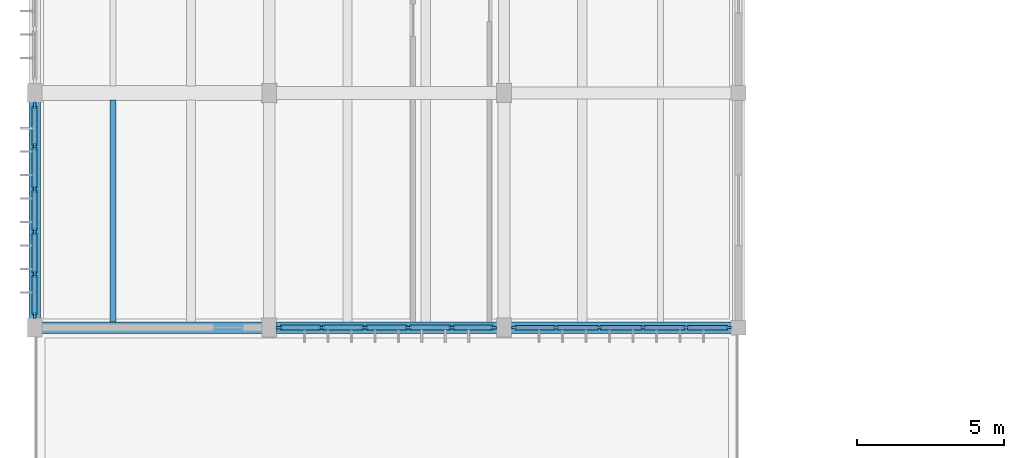
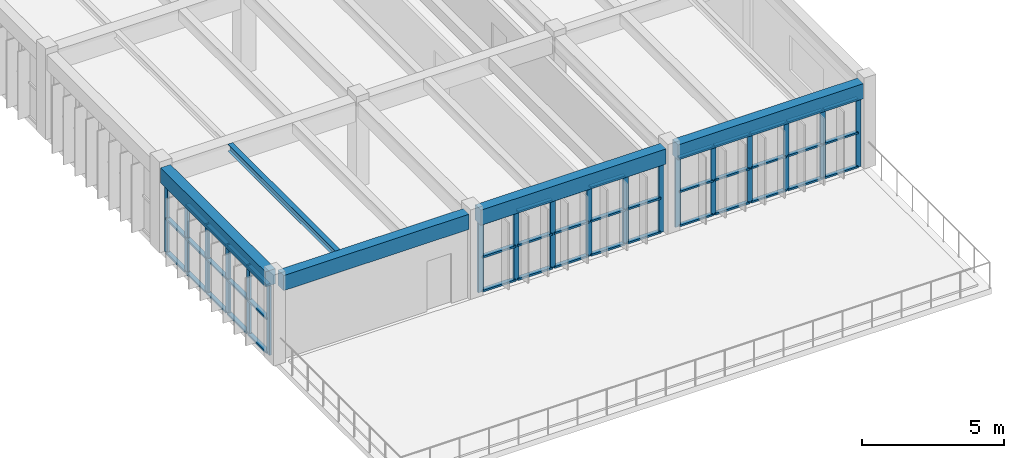
# One storey, part 2 of 31: 62 members, 5 beams, 3 elements without a shape of their own.
"""IFC4 building model written with IfcOpenShell, lengths in metres."""

from ifc_helpers import new_model, si_unit, direction, frame, origin, origin_2d, place, context, subcontext, project, spatial, rectangle, i_section, extrude, material, material_profile, profile_set, type_object, element, aggregate, save


model = new_model("IFC4")

# Units and contexts
model_context = context("Model", 3, precision=1e-05, world=origin(), true_north=direction((0.0, 1.0)))
body_context = subcontext(model_context, "Body", "Model", "MODEL_VIEW")
ifc_project = project(units=[si_unit("LENGTHUNIT", "METRE"), si_unit("AREAUNIT", "SQUARE_METRE"), si_unit("VOLUMEUNIT", "CUBIC_METRE"), si_unit("PLANEANGLEUNIT", "RADIAN"), si_unit("MASSUNIT", "GRAM", prefix="KILO")], contexts=[model_context])

# Site, building, storey
site_placement = place(None, origin())
site = spatial("IfcSite", under=ifc_project, at=site_placement, CompositionType="ELEMENT")
building_placement = place(site_placement, origin())
building = spatial("IfcBuilding", under=site, at=building_placement, Name="Tlaxcora Railside Police Headquarters", CompositionType="ELEMENT")
storey_placement = place(building_placement, frame((0.0, 0.0, 18.0)))
storey = spatial("IfcBuildingStorey", under=building, at=storey_placement, Name="L04", CompositionType="ELEMENT", Elevation=18.0)

# Curtain wall, members
ifc_material_1 = material(Name="Thermally broken low-E insulated glazing", Category="glass")
curtain_wall_type_1 = type_object("IfcCurtainWallType", Name="Unitised Curtain Wall Assembly CW-23", PredefinedType="NOTDEFINED", material=ifc_material_1)
curtain_wall_1_placement = place(storey_placement, origin())
curtain_wall_1 = element("IfcCurtainWall", 1, at=curtain_wall_1_placement, inside=storey, type_object=curtain_wall_type_1, Name="V5 L04 curtain wall 88", PredefinedType="NOTDEFINED")
ifc_material_2 = material(Name="Anodised aluminium framing", Category="aluminium")
ifc_material_profile_1 = material_profile(ifc_material_2, rectangle(XDim=0.080078125, YDim=0.219970703125, at=origin_2d()), Name="AL80X220")
ifc_profile_set_1 = profile_set([ifc_material_profile_1], Name="Anodised aluminium framing")
member_type_1 = type_object("IfcMemberType", Name="Curtain Wall Mullion CW-31", PredefinedType="MULLION", material=ifc_profile_set_1)
member_1_placement = place(storey_placement, frame((13.5400390625, 60.800048828125, 0.0), z_axis=(0.0, 0.0, 1.0), x_axis=(0.0, 1.0, 0.0)))
member_1 = element("IfcMember", 2, at=member_1_placement, type_object=member_type_1, Name="CW mullion 1", PredefinedType="MULLION", context=body_context, shape_type="SweptSolid", body=[
    extrude(rectangle(XDim=0.080078125, YDim=0.219970703125, at=origin_2d()), origin(), (0.0, 0.0, 1.0), 2.969970703125),
])
member_2_placement = place(storey_placement, frame((14.97998046875, 60.800048828125, 0.0), z_axis=(0.0, 0.0, 1.0), x_axis=(0.0, 1.0, 0.0)))
member_2 = element("IfcMember", 3, at=member_2_placement, type_object=member_type_1, Name="CW mullion 2", PredefinedType="MULLION", context=body_context, shape_type="SweptSolid", body=[
    extrude(rectangle(XDim=0.080078125, YDim=0.219970703125, at=origin_2d()), origin(), (0.0, 0.0, 1.0), 2.969970703125),
])
member_3_placement = place(storey_placement, frame((16.4599609375, 60.800048828125, 0.0), z_axis=(0.0, 0.0, 1.0), x_axis=(0.0, 1.0, 0.0)))
member_3 = element("IfcMember", 4, at=member_3_placement, type_object=member_type_1, Name="CW mullion 3", PredefinedType="MULLION", context=body_context, shape_type="SweptSolid", body=[
    extrude(rectangle(XDim=0.080078125, YDim=0.219970703125, at=origin_2d()), origin(), (0.0, 0.0, 1.0), 2.969970703125),
])
member_4_placement = place(storey_placement, frame((17.93994140625, 60.800048828125, 0.0), z_axis=(0.0, 0.0, 1.0), x_axis=(0.0, 1.0, 0.0)))
member_4 = element("IfcMember", 5, at=member_4_placement, type_object=member_type_1, Name="CW mullion 4", PredefinedType="MULLION", context=body_context, shape_type="SweptSolid", body=[
    extrude(rectangle(XDim=0.080078125, YDim=0.219970703125, at=origin_2d()), origin(), (0.0, 0.0, 1.0), 2.969970703125),
])
member_5_placement = place(storey_placement, frame((19.419921875, 60.800048828125, 0.0), z_axis=(0.0, 0.0, 1.0), x_axis=(0.0, 1.0, 0.0)))
member_5 = element("IfcMember", 6, at=member_5_placement, type_object=member_type_1, Name="CW mullion 5", PredefinedType="MULLION", context=body_context, shape_type="SweptSolid", body=[
    extrude(rectangle(XDim=0.080078125, YDim=0.219970703125, at=origin_2d()), origin(), (0.0, 0.0, 1.0), 2.969970703125),
])
member_6_placement = place(storey_placement, frame((20.860107421875, 60.800048828125, 0.0), z_axis=(0.0, 0.0, 1.0), x_axis=(0.0, 1.0, 0.0)))
member_6 = element("IfcMember", 7, at=member_6_placement, type_object=member_type_1, Name="CW mullion 6", PredefinedType="MULLION", context=body_context, shape_type="SweptSolid", body=[
    extrude(rectangle(XDim=0.080078125, YDim=0.219970703125, at=origin_2d()), origin(), (0.0, 0.0, 1.0), 2.969970703125),
])

curtain_wall_2_placement = place(storey_placement, origin())
curtain_wall_2 = element("IfcCurtainWall", 8, at=curtain_wall_2_placement, inside=storey, type_object=curtain_wall_type_1, Name="V5 L04 curtain wall 104", PredefinedType="NOTDEFINED")
member_7_placement = place(storey_placement, frame((5.199951171875, 68.385009765625, 0.0), z_axis=(0.0, 0.0, 1.0), x_axis=(1.0, 0.0, 0.0)))
member_7 = element("IfcMember", 9, at=member_7_placement, type_object=member_type_1, Name="CW mullion 1", PredefinedType="MULLION", context=body_context, shape_type="SweptSolid", body=[
    extrude(rectangle(XDim=0.080078125, YDim=0.219970703125, at=origin_2d()), origin(), (0.0, 0.0, 1.0), 2.969970703125),
])
member_8_placement = place(storey_placement, frame((5.199951171875, 66.97509765625, 0.0), z_axis=(0.0, 0.0, 1.0), x_axis=(1.0, 0.0, 0.0)))
member_8 = element("IfcMember", 10, at=member_8_placement, type_object=member_type_1, Name="CW mullion 2", PredefinedType="MULLION", context=body_context, shape_type="SweptSolid", body=[
    extrude(rectangle(XDim=0.080078125, YDim=0.219970703125, at=origin_2d()), origin(), (0.0, 0.0, 1.0), 2.969970703125),
])
member_9_placement = place(storey_placement, frame((5.199951171875, 65.52490234375, 0.0), z_axis=(0.0, 0.0, 1.0), x_axis=(1.0, 0.0, 0.0)))
member_9 = element("IfcMember", 11, at=member_9_placement, type_object=member_type_1, Name="CW mullion 3", PredefinedType="MULLION", context=body_context, shape_type="SweptSolid", body=[
    extrude(rectangle(XDim=0.080078125, YDim=0.219970703125, at=origin_2d()), origin(), (0.0, 0.0, 1.0), 2.969970703125),
])
member_10_placement = place(storey_placement, frame((5.199951171875, 64.074951171875, 0.0), z_axis=(0.0, 0.0, 1.0), x_axis=(1.0, 0.0, 0.0)))
member_10 = element("IfcMember", 12, at=member_10_placement, type_object=member_type_1, Name="CW mullion 4", PredefinedType="MULLION", context=body_context, shape_type="SweptSolid", body=[
    extrude(rectangle(XDim=0.080078125, YDim=0.219970703125, at=origin_2d()), origin(), (0.0, 0.0, 1.0), 2.969970703125),
])
member_11_placement = place(storey_placement, frame((5.199951171875, 62.625, 0.0), z_axis=(0.0, 0.0, 1.0), x_axis=(1.0, 0.0, 0.0)))
member_11 = element("IfcMember", 13, at=member_11_placement, type_object=member_type_1, Name="CW mullion 5", PredefinedType="MULLION", context=body_context, shape_type="SweptSolid", body=[
    extrude(rectangle(XDim=0.080078125, YDim=0.219970703125, at=origin_2d()), origin(), (0.0, 0.0, 1.0), 2.969970703125),
])
member_12_placement = place(storey_placement, frame((5.199951171875, 61.215087890625, 0.0), z_axis=(0.0, 0.0, 1.0), x_axis=(1.0, 0.0, 0.0)))
member_12 = element("IfcMember", 14, at=member_12_placement, type_object=member_type_1, Name="CW mullion 6", PredefinedType="MULLION", context=body_context, shape_type="SweptSolid", body=[
    extrude(rectangle(XDim=0.080078125, YDim=0.219970703125, at=origin_2d()), origin(), (0.0, 0.0, 1.0), 2.969970703125),
])

curtain_wall_type_2 = type_object("IfcCurtainWallType", Name="Unitised Curtain Wall Assembly CW-38", PredefinedType="NOTDEFINED", material=ifc_material_1)
curtain_wall_3_placement = place(storey_placement, origin())
curtain_wall_3 = element("IfcCurtainWall", 15, at=curtain_wall_3_placement, inside=storey, type_object=curtain_wall_type_2, Name="V5 L04 curtain wall 89", PredefinedType="NOTDEFINED")
ifc_material_profile_2 = material_profile(ifc_material_2, rectangle(XDim=0.074951171875, YDim=0.205078125, at=origin_2d()), Name="AL75X205")
ifc_profile_set_2 = profile_set([ifc_material_profile_2], Name="Anodised aluminium framing")
member_type_2 = type_object("IfcMemberType", Name="Curtain Wall Mullion CW-32", PredefinedType="MULLION", material=ifc_profile_set_2)
member_13_placement = place(storey_placement, frame((21.53759765625, 60.800048828125, 0.0), z_axis=(0.0, 0.0, 1.0), x_axis=(0.0, 1.0, 0.0)))
member_13 = element("IfcMember", 16, at=member_13_placement, type_object=member_type_2, Name="CW mullion 1", PredefinedType="MULLION", context=body_context, shape_type="SweptSolid", body=[
    extrude(rectangle(XDim=0.074951171875, YDim=0.205078125, at=origin_2d()), origin(), (0.0, 0.0, 1.0), 2.969970703125),
])
member_14_placement = place(storey_placement, frame((22.97998046875, 60.800048828125, 0.0), z_axis=(0.0, 0.0, 1.0), x_axis=(0.0, 1.0, 0.0)))
member_14 = element("IfcMember", 17, at=member_14_placement, type_object=member_type_2, Name="CW mullion 2", PredefinedType="MULLION", context=body_context, shape_type="SweptSolid", body=[
    extrude(rectangle(XDim=0.074951171875, YDim=0.205078125, at=origin_2d()), origin(), (0.0, 0.0, 1.0), 2.969970703125),
])
member_15_placement = place(storey_placement, frame((24.4599609375, 60.800048828125, 0.0), z_axis=(0.0, 0.0, 1.0), x_axis=(0.0, 1.0, 0.0)))
member_15 = element("IfcMember", 18, at=member_15_placement, type_object=member_type_2, Name="CW mullion 3", PredefinedType="MULLION", context=body_context, shape_type="SweptSolid", body=[
    extrude(rectangle(XDim=0.074951171875, YDim=0.205078125, at=origin_2d()), origin(), (0.0, 0.0, 1.0), 2.969970703125),
])
member_16_placement = place(storey_placement, frame((25.93994140625, 60.800048828125, 0.0), z_axis=(0.0, 0.0, 1.0), x_axis=(0.0, 1.0, 0.0)))
member_16 = element("IfcMember", 19, at=member_16_placement, type_object=member_type_2, Name="CW mullion 4", PredefinedType="MULLION", context=body_context, shape_type="SweptSolid", body=[
    extrude(rectangle(XDim=0.074951171875, YDim=0.205078125, at=origin_2d()), origin(), (0.0, 0.0, 1.0), 2.969970703125),
])
member_17_placement = place(storey_placement, frame((27.419921875, 60.800048828125, 0.0), z_axis=(0.0, 0.0, 1.0), x_axis=(0.0, 1.0, 0.0)))
member_17 = element("IfcMember", 20, at=member_17_placement, type_object=member_type_2, Name="CW mullion 5", PredefinedType="MULLION", context=body_context, shape_type="SweptSolid", body=[
    extrude(rectangle(XDim=0.074951171875, YDim=0.205078125, at=origin_2d()), origin(), (0.0, 0.0, 1.0), 2.969970703125),
])
member_18_placement = place(storey_placement, frame((28.862548828125, 60.800048828125, 0.0), z_axis=(0.0, 0.0, 1.0), x_axis=(0.0, 1.0, 0.0)))
member_18 = element("IfcMember", 21, at=member_18_placement, type_object=member_type_2, Name="CW mullion 6", PredefinedType="MULLION", context=body_context, shape_type="SweptSolid", body=[
    extrude(rectangle(XDim=0.074951171875, YDim=0.205078125, at=origin_2d()), origin(), (0.0, 0.0, 1.0), 2.969970703125),
])
ifc_material_profile_3 = material_profile(ifc_material_2, rectangle(XDim=0.155029296875, YDim=0.074951171875, at=origin_2d()), Name="AL75X155")
ifc_profile_set_3 = profile_set([ifc_material_profile_3], Name="Anodised aluminium framing")
member_type_3 = type_object("IfcMemberType", Name="Curtain Wall Transom CW-30", PredefinedType="USERDEFINED", material=ifc_profile_set_3)
member_19_placement = place(storey_placement, frame((21.574951171875, 60.800048828125, 0.03759765625), z_axis=(1.0, 0.0, 0.0), x_axis=(0.0, 1.0, 0.0)))
member_19 = element("IfcMember", 22, at=member_19_placement, type_object=member_type_3, Name="CW transom 1.1", ObjectType="TRANSOM", PredefinedType="USERDEFINED", context=body_context, shape_type="SweptSolid", body=[
    extrude(rectangle(XDim=0.155029296875, YDim=0.074951171875, at=origin_2d()), origin(), (0.0, 0.0, 1.0), 1.367431640625),
])
member_20_placement = place(storey_placement, frame((21.574951171875, 60.800048828125, 1.4951171875), z_axis=(1.0, 0.0, 0.0), x_axis=(0.0, 1.0, 0.0)))
member_20 = element("IfcMember", 23, at=member_20_placement, type_object=member_type_3, Name="CW transom 1.2", ObjectType="TRANSOM", PredefinedType="USERDEFINED", context=body_context, shape_type="SweptSolid", body=[
    extrude(rectangle(XDim=0.155029296875, YDim=0.074951171875, at=origin_2d()), origin(), (0.0, 0.0, 1.0), 1.367431640625),
])
member_21_placement = place(storey_placement, frame((21.574951171875, 60.800048828125, 2.9326171875), z_axis=(1.0, 0.0, 0.0), x_axis=(0.0, 1.0, 0.0)))
member_21 = element("IfcMember", 24, at=member_21_placement, type_object=member_type_3, Name="CW transom 1.3", ObjectType="TRANSOM", PredefinedType="USERDEFINED", context=body_context, shape_type="SweptSolid", body=[
    extrude(rectangle(XDim=0.155029296875, YDim=0.074951171875, at=origin_2d()), origin(), (0.0, 0.0, 1.0), 1.367431640625),
])
member_22_placement = place(storey_placement, frame((23.017578125, 60.800048828125, 0.03759765625), z_axis=(1.0, 0.0, 0.0), x_axis=(0.0, 1.0, 0.0)))
member_22 = element("IfcMember", 25, at=member_22_placement, type_object=member_type_3, Name="CW transom 2.1", ObjectType="TRANSOM", PredefinedType="USERDEFINED", context=body_context, shape_type="SweptSolid", body=[
    extrude(rectangle(XDim=0.155029296875, YDim=0.074951171875, at=origin_2d()), origin(), (0.0, 0.0, 1.0), 1.405029296875),
])
member_23_placement = place(storey_placement, frame((23.017578125, 60.800048828125, 1.4951171875), z_axis=(1.0, 0.0, 0.0), x_axis=(0.0, 1.0, 0.0)))
member_23 = element("IfcMember", 26, at=member_23_placement, type_object=member_type_3, Name="CW transom 2.2", ObjectType="TRANSOM", PredefinedType="USERDEFINED", context=body_context, shape_type="SweptSolid", body=[
    extrude(rectangle(XDim=0.155029296875, YDim=0.074951171875, at=origin_2d()), origin(), (0.0, 0.0, 1.0), 1.405029296875),
])
member_24_placement = place(storey_placement, frame((23.017578125, 60.800048828125, 2.9326171875), z_axis=(1.0, 0.0, 0.0), x_axis=(0.0, 1.0, 0.0)))
member_24 = element("IfcMember", 27, at=member_24_placement, type_object=member_type_3, Name="CW transom 2.3", ObjectType="TRANSOM", PredefinedType="USERDEFINED", context=body_context, shape_type="SweptSolid", body=[
    extrude(rectangle(XDim=0.155029296875, YDim=0.074951171875, at=origin_2d()), origin(), (0.0, 0.0, 1.0), 1.405029296875),
])
member_25_placement = place(storey_placement, frame((24.49755859375, 60.800048828125, 0.03759765625), z_axis=(1.0, 0.0, 0.0), x_axis=(0.0, 1.0, 0.0)))
member_25 = element("IfcMember", 28, at=member_25_placement, type_object=member_type_3, Name="CW transom 3.1", ObjectType="TRANSOM", PredefinedType="USERDEFINED", context=body_context, shape_type="SweptSolid", body=[
    extrude(rectangle(XDim=0.155029296875, YDim=0.074951171875, at=origin_2d()), origin(), (0.0, 0.0, 1.0), 1.405029296875),
])
member_26_placement = place(storey_placement, frame((24.49755859375, 60.800048828125, 1.4951171875), z_axis=(1.0, 0.0, 0.0), x_axis=(0.0, 1.0, 0.0)))
member_26 = element("IfcMember", 29, at=member_26_placement, type_object=member_type_3, Name="CW transom 3.2", ObjectType="TRANSOM", PredefinedType="USERDEFINED", context=body_context, shape_type="SweptSolid", body=[
    extrude(rectangle(XDim=0.155029296875, YDim=0.074951171875, at=origin_2d()), origin(), (0.0, 0.0, 1.0), 1.405029296875),
])
member_27_placement = place(storey_placement, frame((24.49755859375, 60.800048828125, 2.9326171875), z_axis=(1.0, 0.0, 0.0), x_axis=(0.0, 1.0, 0.0)))
member_27 = element("IfcMember", 30, at=member_27_placement, type_object=member_type_3, Name="CW transom 3.3", ObjectType="TRANSOM", PredefinedType="USERDEFINED", context=body_context, shape_type="SweptSolid", body=[
    extrude(rectangle(XDim=0.155029296875, YDim=0.074951171875, at=origin_2d()), origin(), (0.0, 0.0, 1.0), 1.405029296875),
])
member_28_placement = place(storey_placement, frame((25.9775390625, 60.800048828125, 0.03759765625), z_axis=(1.0, 0.0, 0.0), x_axis=(0.0, 1.0, 0.0)))
member_28 = element("IfcMember", 31, at=member_28_placement, type_object=member_type_3, Name="CW transom 4.1", ObjectType="TRANSOM", PredefinedType="USERDEFINED", context=body_context, shape_type="SweptSolid", body=[
    extrude(rectangle(XDim=0.155029296875, YDim=0.074951171875, at=origin_2d()), origin(), (0.0, 0.0, 1.0), 1.405029296875),
])
member_29_placement = place(storey_placement, frame((25.9775390625, 60.800048828125, 1.4951171875), z_axis=(1.0, 0.0, 0.0), x_axis=(0.0, 1.0, 0.0)))
member_29 = element("IfcMember", 32, at=member_29_placement, type_object=member_type_3, Name="CW transom 4.2", ObjectType="TRANSOM", PredefinedType="USERDEFINED", context=body_context, shape_type="SweptSolid", body=[
    extrude(rectangle(XDim=0.155029296875, YDim=0.074951171875, at=origin_2d()), origin(), (0.0, 0.0, 1.0), 1.405029296875),
])
member_30_placement = place(storey_placement, frame((25.9775390625, 60.800048828125, 2.9326171875), z_axis=(1.0, 0.0, 0.0), x_axis=(0.0, 1.0, 0.0)))
member_30 = element("IfcMember", 33, at=member_30_placement, type_object=member_type_3, Name="CW transom 4.3", ObjectType="TRANSOM", PredefinedType="USERDEFINED", context=body_context, shape_type="SweptSolid", body=[
    extrude(rectangle(XDim=0.155029296875, YDim=0.074951171875, at=origin_2d()), origin(), (0.0, 0.0, 1.0), 1.405029296875),
])
member_31_placement = place(storey_placement, frame((27.45751953125, 60.800048828125, 0.03759765625), z_axis=(1.0, 0.0, 0.0), x_axis=(0.0, 1.0, 0.0)))
member_31 = element("IfcMember", 34, at=member_31_placement, type_object=member_type_3, Name="CW transom 5.1", ObjectType="TRANSOM", PredefinedType="USERDEFINED", context=body_context, shape_type="SweptSolid", body=[
    extrude(rectangle(XDim=0.155029296875, YDim=0.074951171875, at=origin_2d()), origin(), (0.0, 0.0, 1.0), 1.367431640625),
])
member_32_placement = place(storey_placement, frame((27.45751953125, 60.800048828125, 1.4951171875), z_axis=(1.0, 0.0, 0.0), x_axis=(0.0, 1.0, 0.0)))
member_32 = element("IfcMember", 35, at=member_32_placement, type_object=member_type_3, Name="CW transom 5.2", ObjectType="TRANSOM", PredefinedType="USERDEFINED", context=body_context, shape_type="SweptSolid", body=[
    extrude(rectangle(XDim=0.155029296875, YDim=0.074951171875, at=origin_2d()), origin(), (0.0, 0.0, 1.0), 1.367431640625),
])
member_33_placement = place(storey_placement, frame((27.45751953125, 60.800048828125, 2.9326171875), z_axis=(1.0, 0.0, 0.0), x_axis=(0.0, 1.0, 0.0)))
member_33 = element("IfcMember", 36, at=member_33_placement, type_object=member_type_3, Name="CW transom 5.3", ObjectType="TRANSOM", PredefinedType="USERDEFINED", context=body_context, shape_type="SweptSolid", body=[
    extrude(rectangle(XDim=0.155029296875, YDim=0.074951171875, at=origin_2d()), origin(), (0.0, 0.0, 1.0), 1.367431640625),
])
aggregate(curtain_wall_3, [member_13, member_14, member_15, member_16, member_17, member_18, member_19, member_20, member_21, member_22, member_23, member_24, member_25, member_26, member_27, member_28, member_29, member_30, member_31, member_32, member_33])

# Member
ifc_material_profile_4 = material_profile(ifc_material_2, rectangle(XDim=0.1650390625, YDim=0.080078125, at=origin_2d()), Name="AL80X165")
ifc_profile_set_4 = profile_set([ifc_material_profile_4], Name="Anodised aluminium framing")
member_type_4 = type_object("IfcMemberType", Name="Curtain Wall Transom CW-62", PredefinedType="USERDEFINED", material=ifc_profile_set_4)
member_34_placement = place(storey_placement, frame((13.580078125, 60.800048828125, 0.0400390625), z_axis=(1.0, 0.0, 0.0), x_axis=(0.0, 1.0, 0.0)))
member_34 = element("IfcMember", 37, at=member_34_placement, type_object=member_type_4, Name="CW transom 1.1", ObjectType="TRANSOM", PredefinedType="USERDEFINED", context=body_context, shape_type="SweptSolid", body=[
    extrude(rectangle(XDim=0.1650390625, YDim=0.080078125, at=origin_2d()), origin(), (0.0, 0.0, 1.0), 1.35986328125),
])

member_35_placement = place(storey_placement, frame((13.580078125, 60.800048828125, 1.4951171875), z_axis=(1.0, 0.0, 0.0), x_axis=(0.0, 1.0, 0.0)))
member_35 = element("IfcMember", 38, at=member_35_placement, type_object=member_type_4, Name="CW transom 1.2", ObjectType="TRANSOM", PredefinedType="USERDEFINED", context=body_context, shape_type="SweptSolid", body=[
    extrude(rectangle(XDim=0.1650390625, YDim=0.080078125, at=origin_2d()), origin(), (0.0, 0.0, 1.0), 1.35986328125),
])

member_36_placement = place(storey_placement, frame((13.580078125, 60.800048828125, 2.929931640625), z_axis=(1.0, 0.0, 0.0), x_axis=(0.0, 1.0, 0.0)))
member_36 = element("IfcMember", 39, at=member_36_placement, type_object=member_type_4, Name="CW transom 1.3", ObjectType="TRANSOM", PredefinedType="USERDEFINED", context=body_context, shape_type="SweptSolid", body=[
    extrude(rectangle(XDim=0.1650390625, YDim=0.080078125, at=origin_2d()), origin(), (0.0, 0.0, 1.0), 1.35986328125),
])

member_37_placement = place(storey_placement, frame((15.02001953125, 60.800048828125, 0.0400390625), z_axis=(1.0, 0.0, 0.0), x_axis=(0.0, 1.0, 0.0)))
member_37 = element("IfcMember", 40, at=member_37_placement, type_object=member_type_4, Name="CW transom 2.1", ObjectType="TRANSOM", PredefinedType="USERDEFINED", context=body_context, shape_type="SweptSolid", body=[
    extrude(rectangle(XDim=0.1650390625, YDim=0.080078125, at=origin_2d()), origin(), (0.0, 0.0, 1.0), 1.39990234375),
])

member_38_placement = place(storey_placement, frame((15.02001953125, 60.800048828125, 1.4951171875), z_axis=(1.0, 0.0, 0.0), x_axis=(0.0, 1.0, 0.0)))
member_38 = element("IfcMember", 41, at=member_38_placement, type_object=member_type_4, Name="CW transom 2.2", ObjectType="TRANSOM", PredefinedType="USERDEFINED", context=body_context, shape_type="SweptSolid", body=[
    extrude(rectangle(XDim=0.1650390625, YDim=0.080078125, at=origin_2d()), origin(), (0.0, 0.0, 1.0), 1.39990234375),
])

member_39_placement = place(storey_placement, frame((15.02001953125, 60.800048828125, 2.929931640625), z_axis=(1.0, 0.0, 0.0), x_axis=(0.0, 1.0, 0.0)))
member_39 = element("IfcMember", 42, at=member_39_placement, type_object=member_type_4, Name="CW transom 2.3", ObjectType="TRANSOM", PredefinedType="USERDEFINED", context=body_context, shape_type="SweptSolid", body=[
    extrude(rectangle(XDim=0.1650390625, YDim=0.080078125, at=origin_2d()), origin(), (0.0, 0.0, 1.0), 1.39990234375),
])

member_40_placement = place(storey_placement, frame((16.5, 60.800048828125, 0.0400390625), z_axis=(1.0, 0.0, 0.0), x_axis=(0.0, 1.0, 0.0)))
member_40 = element("IfcMember", 43, at=member_40_placement, type_object=member_type_4, Name="CW transom 3.1", ObjectType="TRANSOM", PredefinedType="USERDEFINED", context=body_context, shape_type="SweptSolid", body=[
    extrude(rectangle(XDim=0.1650390625, YDim=0.080078125, at=origin_2d()), origin(), (0.0, 0.0, 1.0), 1.39990234375),
])

member_41_placement = place(storey_placement, frame((16.5, 60.800048828125, 1.4951171875), z_axis=(1.0, 0.0, 0.0), x_axis=(0.0, 1.0, 0.0)))
member_41 = element("IfcMember", 44, at=member_41_placement, type_object=member_type_4, Name="CW transom 3.2", ObjectType="TRANSOM", PredefinedType="USERDEFINED", context=body_context, shape_type="SweptSolid", body=[
    extrude(rectangle(XDim=0.1650390625, YDim=0.080078125, at=origin_2d()), origin(), (0.0, 0.0, 1.0), 1.39990234375),
])

member_42_placement = place(storey_placement, frame((16.5, 60.800048828125, 2.929931640625), z_axis=(1.0, 0.0, 0.0), x_axis=(0.0, 1.0, 0.0)))
member_42 = element("IfcMember", 45, at=member_42_placement, type_object=member_type_4, Name="CW transom 3.3", ObjectType="TRANSOM", PredefinedType="USERDEFINED", context=body_context, shape_type="SweptSolid", body=[
    extrude(rectangle(XDim=0.1650390625, YDim=0.080078125, at=origin_2d()), origin(), (0.0, 0.0, 1.0), 1.39990234375),
])

member_43_placement = place(storey_placement, frame((17.97998046875, 60.800048828125, 0.0400390625), z_axis=(1.0, 0.0, 0.0), x_axis=(0.0, 1.0, 0.0)))
member_43 = element("IfcMember", 46, at=member_43_placement, type_object=member_type_4, Name="CW transom 4.1", ObjectType="TRANSOM", PredefinedType="USERDEFINED", context=body_context, shape_type="SweptSolid", body=[
    extrude(rectangle(XDim=0.1650390625, YDim=0.080078125, at=origin_2d()), origin(), (0.0, 0.0, 1.0), 1.39990234375),
])

member_44_placement = place(storey_placement, frame((17.97998046875, 60.800048828125, 1.4951171875), z_axis=(1.0, 0.0, 0.0), x_axis=(0.0, 1.0, 0.0)))
member_44 = element("IfcMember", 47, at=member_44_placement, type_object=member_type_4, Name="CW transom 4.2", ObjectType="TRANSOM", PredefinedType="USERDEFINED", context=body_context, shape_type="SweptSolid", body=[
    extrude(rectangle(XDim=0.1650390625, YDim=0.080078125, at=origin_2d()), origin(), (0.0, 0.0, 1.0), 1.39990234375),
])

member_45_placement = place(storey_placement, frame((17.97998046875, 60.800048828125, 2.929931640625), z_axis=(1.0, 0.0, 0.0), x_axis=(0.0, 1.0, 0.0)))
member_45 = element("IfcMember", 48, at=member_45_placement, type_object=member_type_4, Name="CW transom 4.3", ObjectType="TRANSOM", PredefinedType="USERDEFINED", context=body_context, shape_type="SweptSolid", body=[
    extrude(rectangle(XDim=0.1650390625, YDim=0.080078125, at=origin_2d()), origin(), (0.0, 0.0, 1.0), 1.39990234375),
])

member_46_placement = place(storey_placement, frame((19.4599609375, 60.800048828125, 0.0400390625), z_axis=(1.0, 0.0, 0.0), x_axis=(0.0, 1.0, 0.0)))
member_46 = element("IfcMember", 49, at=member_46_placement, type_object=member_type_4, Name="CW transom 5.1", ObjectType="TRANSOM", PredefinedType="USERDEFINED", context=body_context, shape_type="SweptSolid", body=[
    extrude(rectangle(XDim=0.1650390625, YDim=0.080078125, at=origin_2d()), origin(), (0.0, 0.0, 1.0), 1.360107421875),
])

member_47_placement = place(storey_placement, frame((19.4599609375, 60.800048828125, 1.4951171875), z_axis=(1.0, 0.0, 0.0), x_axis=(0.0, 1.0, 0.0)))
member_47 = element("IfcMember", 50, at=member_47_placement, type_object=member_type_4, Name="CW transom 5.2", ObjectType="TRANSOM", PredefinedType="USERDEFINED", context=body_context, shape_type="SweptSolid", body=[
    extrude(rectangle(XDim=0.1650390625, YDim=0.080078125, at=origin_2d()), origin(), (0.0, 0.0, 1.0), 1.360107421875),
])

member_48_placement = place(storey_placement, frame((19.4599609375, 60.800048828125, 2.929931640625), z_axis=(1.0, 0.0, 0.0), x_axis=(0.0, 1.0, 0.0)))
member_48 = element("IfcMember", 51, at=member_48_placement, type_object=member_type_4, Name="CW transom 5.3", ObjectType="TRANSOM", PredefinedType="USERDEFINED", context=body_context, shape_type="SweptSolid", body=[
    extrude(rectangle(XDim=0.1650390625, YDim=0.080078125, at=origin_2d()), origin(), (0.0, 0.0, 1.0), 1.360107421875),
])

aggregate(curtain_wall_1, [member_1, member_2, member_3, member_4, member_5, member_6, member_34, member_35, member_36, member_37, member_38, member_39, member_40, member_41, member_42, member_43, member_44, member_45, member_46, member_47, member_48])

member_49_placement = place(storey_placement, frame((5.199951171875, 68.344970703125, 0.0400390625), z_axis=(0.0, -1.0, 0.0), x_axis=(1.0, 0.0, 0.0)))
member_49 = element("IfcMember", 52, at=member_49_placement, type_object=member_type_4, Name="CW transom 1.1", ObjectType="TRANSOM", PredefinedType="USERDEFINED", context=body_context, shape_type="SweptSolid", body=[
    extrude(rectangle(XDim=0.1650390625, YDim=0.080078125, at=origin_2d()), origin(), (0.0, 0.0, 1.0), 1.330078125),
])

member_50_placement = place(storey_placement, frame((5.199951171875, 68.344970703125, 1.4951171875), z_axis=(0.0, -1.0, 0.0), x_axis=(1.0, 0.0, 0.0)))
member_50 = element("IfcMember", 53, at=member_50_placement, type_object=member_type_4, Name="CW transom 1.2", ObjectType="TRANSOM", PredefinedType="USERDEFINED", context=body_context, shape_type="SweptSolid", body=[
    extrude(rectangle(XDim=0.1650390625, YDim=0.080078125, at=origin_2d()), origin(), (0.0, 0.0, 1.0), 1.330078125),
])

member_51_placement = place(storey_placement, frame((5.199951171875, 66.93505859375, 0.0400390625), z_axis=(0.0, -1.0, 0.0), x_axis=(1.0, 0.0, 0.0)))
member_51 = element("IfcMember", 54, at=member_51_placement, type_object=member_type_4, Name="CW transom 2.1", ObjectType="TRANSOM", PredefinedType="USERDEFINED", context=body_context, shape_type="SweptSolid", body=[
    extrude(rectangle(XDim=0.1650390625, YDim=0.080078125, at=origin_2d()), origin(), (0.0, 0.0, 1.0), 1.3701171875),
])

member_52_placement = place(storey_placement, frame((5.199951171875, 66.93505859375, 1.4951171875), z_axis=(0.0, -1.0, 0.0), x_axis=(1.0, 0.0, 0.0)))
member_52 = element("IfcMember", 55, at=member_52_placement, type_object=member_type_4, Name="CW transom 2.2", ObjectType="TRANSOM", PredefinedType="USERDEFINED", context=body_context, shape_type="SweptSolid", body=[
    extrude(rectangle(XDim=0.1650390625, YDim=0.080078125, at=origin_2d()), origin(), (0.0, 0.0, 1.0), 1.3701171875),
])

member_53_placement = place(storey_placement, frame((5.199951171875, 66.93505859375, 2.929931640625), z_axis=(0.0, -1.0, 0.0), x_axis=(1.0, 0.0, 0.0)))
member_53 = element("IfcMember", 56, at=member_53_placement, type_object=member_type_4, Name="CW transom 2.3", ObjectType="TRANSOM", PredefinedType="USERDEFINED", context=body_context, shape_type="SweptSolid", body=[
    extrude(rectangle(XDim=0.1650390625, YDim=0.080078125, at=origin_2d()), origin(), (0.0, 0.0, 1.0), 1.3701171875),
])

member_54_placement = place(storey_placement, frame((5.199951171875, 65.485107421875, 0.0400390625), z_axis=(0.0, -1.0, 0.0), x_axis=(1.0, 0.0, 0.0)))
member_54 = element("IfcMember", 57, at=member_54_placement, type_object=member_type_4, Name="CW transom 3.1", ObjectType="TRANSOM", PredefinedType="USERDEFINED", context=body_context, shape_type="SweptSolid", body=[
    extrude(rectangle(XDim=0.1650390625, YDim=0.080078125, at=origin_2d()), origin(), (0.0, 0.0, 1.0), 1.3701171875),
])

member_55_placement = place(storey_placement, frame((5.199951171875, 65.485107421875, 1.4951171875), z_axis=(0.0, -1.0, 0.0), x_axis=(1.0, 0.0, 0.0)))
member_55 = element("IfcMember", 58, at=member_55_placement, type_object=member_type_4, Name="CW transom 3.2", ObjectType="TRANSOM", PredefinedType="USERDEFINED", context=body_context, shape_type="SweptSolid", body=[
    extrude(rectangle(XDim=0.1650390625, YDim=0.080078125, at=origin_2d()), origin(), (0.0, 0.0, 1.0), 1.3701171875),
])

member_56_placement = place(storey_placement, frame((5.199951171875, 65.485107421875, 2.929931640625), z_axis=(0.0, -1.0, 0.0), x_axis=(1.0, 0.0, 0.0)))
member_56 = element("IfcMember", 59, at=member_56_placement, type_object=member_type_4, Name="CW transom 3.3", ObjectType="TRANSOM", PredefinedType="USERDEFINED", context=body_context, shape_type="SweptSolid", body=[
    extrude(rectangle(XDim=0.1650390625, YDim=0.080078125, at=origin_2d()), origin(), (0.0, 0.0, 1.0), 1.3701171875),
])

member_57_placement = place(storey_placement, frame((5.199951171875, 64.034912109375, 0.0400390625), z_axis=(0.0, -1.0, 0.0), x_axis=(1.0, 0.0, 0.0)))
member_57 = element("IfcMember", 60, at=member_57_placement, type_object=member_type_4, Name="CW transom 4.1", ObjectType="TRANSOM", PredefinedType="USERDEFINED", context=body_context, shape_type="SweptSolid", body=[
    extrude(rectangle(XDim=0.1650390625, YDim=0.080078125, at=origin_2d()), origin(), (0.0, 0.0, 1.0), 1.369873046875),
])

member_58_placement = place(storey_placement, frame((5.199951171875, 64.034912109375, 1.4951171875), z_axis=(0.0, -1.0, 0.0), x_axis=(1.0, 0.0, 0.0)))
member_58 = element("IfcMember", 61, at=member_58_placement, type_object=member_type_4, Name="CW transom 4.2", ObjectType="TRANSOM", PredefinedType="USERDEFINED", context=body_context, shape_type="SweptSolid", body=[
    extrude(rectangle(XDim=0.1650390625, YDim=0.080078125, at=origin_2d()), origin(), (0.0, 0.0, 1.0), 1.369873046875),
])

member_59_placement = place(storey_placement, frame((5.199951171875, 64.034912109375, 2.929931640625), z_axis=(0.0, -1.0, 0.0), x_axis=(1.0, 0.0, 0.0)))
member_59 = element("IfcMember", 62, at=member_59_placement, type_object=member_type_4, Name="CW transom 4.3", ObjectType="TRANSOM", PredefinedType="USERDEFINED", context=body_context, shape_type="SweptSolid", body=[
    extrude(rectangle(XDim=0.1650390625, YDim=0.080078125, at=origin_2d()), origin(), (0.0, 0.0, 1.0), 1.369873046875),
])

member_60_placement = place(storey_placement, frame((5.199951171875, 62.5849609375, 0.0400390625), z_axis=(0.0, -1.0, 0.0), x_axis=(1.0, 0.0, 0.0)))
member_60 = element("IfcMember", 63, at=member_60_placement, type_object=member_type_4, Name="CW transom 5.1", ObjectType="TRANSOM", PredefinedType="USERDEFINED", context=body_context, shape_type="SweptSolid", body=[
    extrude(rectangle(XDim=0.1650390625, YDim=0.080078125, at=origin_2d()), origin(), (0.0, 0.0, 1.0), 1.330078125),
])

member_61_placement = place(storey_placement, frame((5.199951171875, 62.5849609375, 1.4951171875), z_axis=(0.0, -1.0, 0.0), x_axis=(1.0, 0.0, 0.0)))
member_61 = element("IfcMember", 64, at=member_61_placement, type_object=member_type_4, Name="CW transom 5.2", ObjectType="TRANSOM", PredefinedType="USERDEFINED", context=body_context, shape_type="SweptSolid", body=[
    extrude(rectangle(XDim=0.1650390625, YDim=0.080078125, at=origin_2d()), origin(), (0.0, 0.0, 1.0), 1.330078125),
])

member_62_placement = place(storey_placement, frame((5.199951171875, 62.5849609375, 2.929931640625), z_axis=(0.0, -1.0, 0.0), x_axis=(1.0, 0.0, 0.0)))
member_62 = element("IfcMember", 65, at=member_62_placement, type_object=member_type_4, Name="CW transom 5.3", ObjectType="TRANSOM", PredefinedType="USERDEFINED", context=body_context, shape_type="SweptSolid", body=[
    extrude(rectangle(XDim=0.1650390625, YDim=0.080078125, at=origin_2d()), origin(), (0.0, 0.0, 1.0), 1.330078125),
])

aggregate(curtain_wall_2, [member_7, member_8, member_9, member_10, member_11, member_12, member_49, member_50, member_51, member_52, member_53, member_54, member_55, member_56, member_57, member_58, member_59, member_60, member_61, member_62])

# Beams
ifc_material_3 = material(Name="Concrete C40/50", Category="concrete")
ifc_material_profile_5 = material_profile(ifc_material_3, rectangle(XDim=0.39990234375, YDim=0.64990234375, at=origin_2d()), Name="RC400X650")
ifc_profile_set_5 = profile_set([ifc_material_profile_5], Name="Concrete C40/50")
beam_type_1 = type_object("IfcBeamType", Name="Perimeter Spandrel Beam BM-46", PredefinedType="SPANDREL", material=ifc_profile_set_5)
for number, where, z_axis, x_axis, name in (
    (66, (5.43994140625, 60.800048828125, 3.31494140625), (1.0, 0.0, 0.0), (0.0, 1.0, 0.0), "V5 L04 X-girder Y=60.8"),
    (67, (13.43994140625, 60.800048828125, 3.31494140625), (1.0, 0.0, 0.0), (0.0, 1.0, 0.0), "V5 L04 X-girder Y=60.8"),
    (68, (21.43994140625, 60.800048828125, 3.31494140625), (1.0, 0.0, 0.0), (0.0, 1.0, 0.0), "V5 L04 X-girder Y=60.8"),
):
    element("IfcBeam", number, at=place(storey_placement, frame(where, z_axis=z_axis, x_axis=x_axis)), inside=storey, type_object=beam_type_1, Name=name, PredefinedType="SPANDREL", context=body_context, shape_type="SweptSolid", body=[
        extrude(rectangle(XDim=0.39990234375, YDim=0.64990234375, at=origin_2d()), origin(), (0.0, 0.0, 1.0), 7.52001953125),
    ])
beam_1_placement = place(storey_placement, frame((5.199951171875, 61.114990234375, 3.31494140625), z_axis=(0.0, 1.0, 0.0), x_axis=(-1.0, 0.0, 0.0)))
element("IfcBeam", 69, at=beam_1_placement, inside=storey, type_object=beam_type_1, Name="V5 L04 Y-girder X=5.2", PredefinedType="SPANDREL", context=body_context, shape_type="SweptSolid", body=[
    extrude(rectangle(XDim=0.39990234375, YDim=0.64990234375, at=origin_2d()), origin(), (0.0, 0.0, 1.0), 7.3701171875),
])
ifc_material_4 = material(Name="Steel ASTM A992 Grade 50", Category="steel")
ifc_material_profile_6 = material_profile(ifc_material_4, i_section(OverallWidth=0.202880859375, OverallDepth=0.302978515625, WebThickness=0.007568359375, FlangeThickness=0.01318359375, at=origin_2d()), Name="W12X40")
ifc_profile_set_6 = profile_set([ifc_material_profile_6], Name="Steel ASTM A992 Grade 50")
beam_type_2 = type_object("IfcBeamType", Name="Secondary Floor Joist BM-96", PredefinedType="JOIST", material=ifc_profile_set_6)
beam_2_placement = place(storey_placement, frame((7.86669921875, 60.991943359375, 3.488525390625), z_axis=(0.0, 1.0, 0.0), x_axis=(-1.0, 0.0, 0.0)))
element("IfcBeam", 70, at=beam_2_placement, inside=storey, type_object=beam_type_2, Name="V5 L04 floor joist X=7.87", PredefinedType="JOIST", context=body_context, shape_type="SweptSolid", body=[
    extrude(i_section(OverallWidth=0.202880859375, OverallDepth=0.302978515625, WebThickness=0.007568359375, FlangeThickness=0.01318359375, at=origin_2d()), origin(), (0.0, 0.0, 1.0), 7.566162109375),
])

save(model, "model.ifc")
